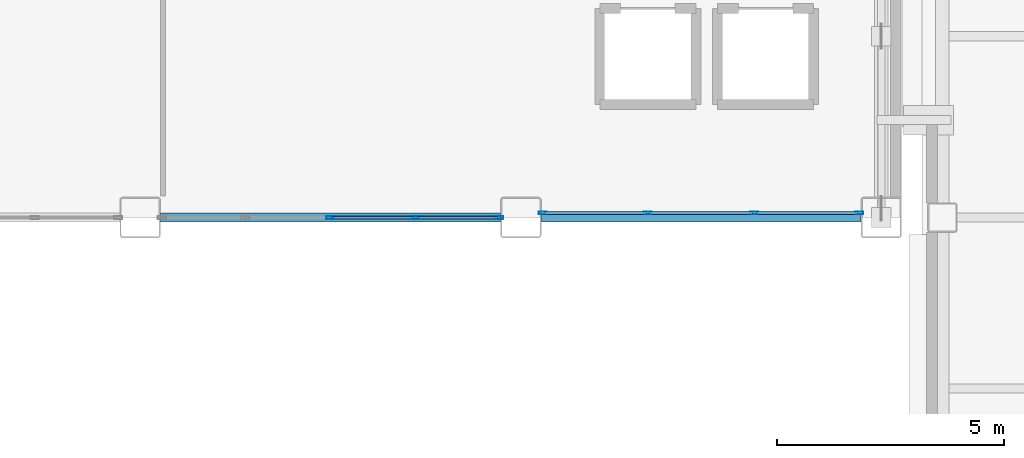
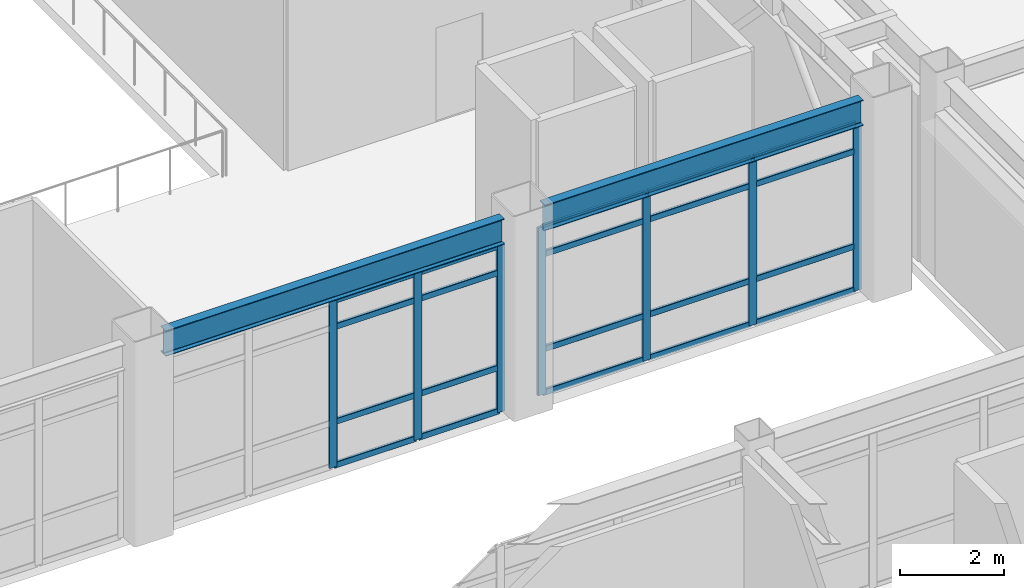
# One storey, part 37 of 172: 27 members, 2 beams, 2 elements without a shape of their own.
"""IFC4 building model written with IfcOpenShell, lengths in metres."""

from ifc_helpers import new_model, si_unit, direction, frame, origin, origin_2d, place, context, subcontext, project, spatial, hollow_rectangle, i_section, extrude, material, layer, layer_set, material_profile, profile_set, type_object, element, aggregate, save


model = new_model("IFC4")

# Units and contexts
model_context = context("Model", 3, precision=1e-05, world=origin(), true_north=direction((0.0, 1.0)))
body_context = subcontext(model_context, "Body", "Model", "MODEL_VIEW")
ifc_project = project(units=[si_unit("LENGTHUNIT", "METRE"), si_unit("AREAUNIT", "SQUARE_METRE"), si_unit("VOLUMEUNIT", "CUBIC_METRE"), si_unit("PLANEANGLEUNIT", "RADIAN"), si_unit("MASSUNIT", "GRAM", prefix="KILO")], contexts=[model_context])

# Site, building, storey
site_placement = place(None, origin())
site = spatial("IfcSite", under=ifc_project, at=site_placement, CompositionType="ELEMENT")
building_placement = place(site_placement, origin())
building = spatial("IfcBuilding", under=site, at=building_placement, Name="Kazehara Bluff Congress Hotel", CompositionType="ELEMENT")
storey_placement = place(building_placement, frame((0.0, 0.0, 5.39990234375)))
storey = spatial("IfcBuildingStorey", under=building, at=storey_placement, Name="L01", CompositionType="ELEMENT", Elevation=5.39990234375)

# Curtain wall, members
ifc_material_1 = material(Name="Anodised aluminium", Category="aluminium")
ifc_layer_1 = layer(ifc_material_1, 0.159912109375)
ifc_layer_set_1 = layer_set([ifc_layer_1], Name="Anodised aluminium")
curtain_wall_type_1 = type_object("IfcCurtainWallType", Name="TP-CW-13", PredefinedType="NOTDEFINED", material=ifc_layer_set_1)
curtain_wall_1_placement = place(storey_placement, origin())
curtain_wall_1 = element("IfcCurtainWall", 1, at=curtain_wall_1_placement, inside=storey, type_object=curtain_wall_type_1, Name="L01 curtain wall CW-13 CW-V1-L01-Y4845-4245", PredefinedType="NOTDEFINED")
ifc_material_2 = material(Name="Anodised aluminium", Category="aluminium")
ifc_material_profile_1 = material_profile(ifc_material_2, hollow_rectangle(XDim=0.06494140625, YDim=0.179931640625, WallThickness=0.00390625, InnerFilletRadius=0.00390625, OuterFilletRadius=0.008056640625, at=origin_2d()))
ifc_profile_set_1 = profile_set([ifc_material_profile_1], Name="Anodised aluminium")
member_type_1 = type_object("IfcMemberType", Name="TP-CWM-02", PredefinedType="MULLION", material=ifc_profile_set_1)
member_1_placement = place(storey_placement, frame((46.199951171875, 48.449951171875, 0.0), z_axis=(0.0, 0.0, 1.0), x_axis=(0.0, 1.0, 0.0)))
member_1 = element("IfcMember", 2, at=member_1_placement, type_object=member_type_1, Name="CW-13 mullion 3", PredefinedType="MULLION", context=body_context, shape_type="SweptSolid", body=[
    extrude(hollow_rectangle(XDim=0.06494140625, YDim=0.179931640625, WallThickness=0.00390625, InnerFilletRadius=0.00390625, OuterFilletRadius=0.008056640625, at=origin_2d()), origin(), (0.0, 0.0, 1.0), 3.925048828125),
])
member_2_placement = place(storey_placement, frame((48.074951171875, 48.449951171875, 0.0), z_axis=(0.0, 0.0, 1.0), x_axis=(0.0, 1.0, 0.0)))
member_2 = element("IfcMember", 3, at=member_2_placement, type_object=member_type_1, Name="CW-13 mullion 4", PredefinedType="MULLION", context=body_context, shape_type="SweptSolid", body=[
    extrude(hollow_rectangle(XDim=0.06494140625, YDim=0.179931640625, WallThickness=0.00390625, InnerFilletRadius=0.00390625, OuterFilletRadius=0.008056640625, at=origin_2d()), origin(), (0.0, 0.0, 1.0), 3.925048828125),
])
member_3_placement = place(storey_placement, frame((49.91748046875, 48.449951171875, 0.0), z_axis=(0.0, 0.0, 1.0), x_axis=(0.0, 1.0, 0.0)))
member_3 = element("IfcMember", 4, at=member_3_placement, type_object=member_type_1, Name="CW-13 mullion 5", PredefinedType="MULLION", context=body_context, shape_type="SweptSolid", body=[
    extrude(hollow_rectangle(XDim=0.06494140625, YDim=0.179931640625, WallThickness=0.00390625, InnerFilletRadius=0.00390625, OuterFilletRadius=0.008056640625, at=origin_2d()), origin(), (0.0, 0.0, 1.0), 3.925048828125),
])

ifc_material_3 = material(Name="Anodised aluminium", Category="aluminium")
ifc_layer_2 = layer(ifc_material_3, 0.159912109375)
ifc_layer_set_2 = layer_set([ifc_layer_2], Name="Anodised aluminium")
curtain_wall_type_2 = type_object("IfcCurtainWallType", Name="TP-CW-109", PredefinedType="NOTDEFINED", material=ifc_layer_set_2)
curtain_wall_2_placement = place(storey_placement, origin())
curtain_wall_2 = element("IfcCurtainWall", 5, at=curtain_wall_2_placement, inside=storey, type_object=curtain_wall_type_2, Name="L01 curtain wall CW-109 CW-ENC-V1-L01-5438-4855", PredefinedType="NOTDEFINED")
member_4_placement = place(storey_placement, frame((57.867431640625, 48.550048828125, 0.0), z_axis=(0.0, 0.0, 1.0), x_axis=(0.0, -1.0, 0.0)))
member_4 = element("IfcMember", 6, at=member_4_placement, type_object=member_type_1, Name="CW-109 mullion 1", PredefinedType="MULLION", context=body_context, shape_type="SweptSolid", body=[
    extrude(hollow_rectangle(XDim=0.06494140625, YDim=0.179931640625, WallThickness=0.00390625, InnerFilletRadius=0.00390625, OuterFilletRadius=0.008056640625, at=origin_2d()), origin(), (0.0, 0.0, 1.0), 3.925048828125),
])
member_5_placement = place(storey_placement, frame((55.550048828125, 48.550048828125, 0.0), z_axis=(0.0, 0.0, 1.0), x_axis=(0.0, -1.0, 0.0)))
member_5 = element("IfcMember", 7, at=member_5_placement, type_object=member_type_1, Name="CW-109 mullion 2", PredefinedType="MULLION", context=body_context, shape_type="SweptSolid", body=[
    extrude(hollow_rectangle(XDim=0.06494140625, YDim=0.179931640625, WallThickness=0.00390625, InnerFilletRadius=0.00390625, OuterFilletRadius=0.008056640625, at=origin_2d()), origin(), (0.0, 0.0, 1.0), 3.925048828125),
])
member_6_placement = place(storey_placement, frame((53.199951171875, 48.550048828125, 0.0), z_axis=(0.0, 0.0, 1.0), x_axis=(0.0, -1.0, 0.0)))
member_6 = element("IfcMember", 8, at=member_6_placement, type_object=member_type_1, Name="CW-109 mullion 3", PredefinedType="MULLION", context=body_context, shape_type="SweptSolid", body=[
    extrude(hollow_rectangle(XDim=0.06494140625, YDim=0.179931640625, WallThickness=0.00390625, InnerFilletRadius=0.00390625, OuterFilletRadius=0.008056640625, at=origin_2d()), origin(), (0.0, 0.0, 1.0), 3.925048828125),
])
member_7_placement = place(storey_placement, frame((50.882568359375, 48.550048828125, 0.0), z_axis=(0.0, 0.0, 1.0), x_axis=(0.0, -1.0, 0.0)))
member_7 = element("IfcMember", 9, at=member_7_placement, type_object=member_type_1, Name="CW-109 mullion 4", PredefinedType="MULLION", context=body_context, shape_type="SweptSolid", body=[
    extrude(hollow_rectangle(XDim=0.06494140625, YDim=0.179931640625, WallThickness=0.00390625, InnerFilletRadius=0.00390625, OuterFilletRadius=0.008056640625, at=origin_2d()), origin(), (0.0, 0.0, 1.0), 3.925048828125),
])

# Member
ifc_material_4 = material(Name="Anodised aluminium", Category="aluminium")
ifc_material_profile_2 = material_profile(ifc_material_4, hollow_rectangle(XDim=0.06494140625, YDim=0.139892578125, WallThickness=0.00390625, InnerFilletRadius=0.00390625, OuterFilletRadius=0.008056640625, at=origin_2d()))
ifc_profile_set_2 = profile_set([ifc_material_profile_2], Name="Anodised aluminium")
member_type_2 = type_object("IfcMemberType", Name="TP-CWT-02", PredefinedType="USERDEFINED", material=ifc_profile_set_2)
member_8_placement = place(storey_placement, frame((46.232421875, 48.449951171875, 0.03271484375), z_axis=(1.0, 0.0, 0.0), x_axis=(0.0, 1.0, 0.0)))
member_8 = element("IfcMember", 10, at=member_8_placement, type_object=member_type_2, Name="CW-13 transom 3.1", ObjectType="TRANSOM", PredefinedType="USERDEFINED", context=body_context, shape_type="SweptSolid", body=[
    extrude(hollow_rectangle(XDim=0.06494140625, YDim=0.139892578125, WallThickness=0.00390625, InnerFilletRadius=0.00390625, OuterFilletRadius=0.008056640625, at=origin_2d()), origin(), (0.0, 0.0, 1.0), 1.81005859375),
])

member_9_placement = place(storey_placement, frame((46.232421875, 48.449951171875, 1.050048828125), z_axis=(1.0, 0.0, 0.0), x_axis=(0.0, 1.0, 0.0)))
member_9 = element("IfcMember", 11, at=member_9_placement, type_object=member_type_2, Name="CW-13 transom 3.2", ObjectType="TRANSOM", PredefinedType="USERDEFINED", context=body_context, shape_type="SweptSolid", body=[
    extrude(hollow_rectangle(XDim=0.06494140625, YDim=0.139892578125, WallThickness=0.00390625, InnerFilletRadius=0.00390625, OuterFilletRadius=0.008056640625, at=origin_2d()), origin(), (0.0, 0.0, 1.0), 1.81005859375),
])

member_10_placement = place(storey_placement, frame((46.232421875, 48.449951171875, 3.275146484375), z_axis=(1.0, 0.0, 0.0), x_axis=(0.0, 1.0, 0.0)))
member_10 = element("IfcMember", 12, at=member_10_placement, type_object=member_type_2, Name="CW-13 transom 3.3", ObjectType="TRANSOM", PredefinedType="USERDEFINED", context=body_context, shape_type="SweptSolid", body=[
    extrude(hollow_rectangle(XDim=0.06494140625, YDim=0.139892578125, WallThickness=0.00390625, InnerFilletRadius=0.00390625, OuterFilletRadius=0.008056640625, at=origin_2d()), origin(), (0.0, 0.0, 1.0), 1.81005859375),
])

member_11_placement = place(storey_placement, frame((46.232421875, 48.449951171875, 3.892578125), z_axis=(1.0, 0.0, 0.0), x_axis=(0.0, 1.0, 0.0)))
member_11 = element("IfcMember", 13, at=member_11_placement, type_object=member_type_2, Name="CW-13 transom 3.4", ObjectType="TRANSOM", PredefinedType="USERDEFINED", context=body_context, shape_type="SweptSolid", body=[
    extrude(hollow_rectangle(XDim=0.06494140625, YDim=0.139892578125, WallThickness=0.00390625, InnerFilletRadius=0.00390625, OuterFilletRadius=0.008056640625, at=origin_2d()), origin(), (0.0, 0.0, 1.0), 1.81005859375),
])

member_12_placement = place(storey_placement, frame((48.107421875, 48.449951171875, 0.03271484375), z_axis=(1.0, 0.0, 0.0), x_axis=(0.0, 1.0, 0.0)))
member_12 = element("IfcMember", 14, at=member_12_placement, type_object=member_type_2, Name="CW-13 transom 4.1", ObjectType="TRANSOM", PredefinedType="USERDEFINED", context=body_context, shape_type="SweptSolid", body=[
    extrude(hollow_rectangle(XDim=0.06494140625, YDim=0.139892578125, WallThickness=0.00390625, InnerFilletRadius=0.00390625, OuterFilletRadius=0.008056640625, at=origin_2d()), origin(), (0.0, 0.0, 1.0), 1.777587890625),
])

member_13_placement = place(storey_placement, frame((48.107421875, 48.449951171875, 1.050048828125), z_axis=(1.0, 0.0, 0.0), x_axis=(0.0, 1.0, 0.0)))
member_13 = element("IfcMember", 15, at=member_13_placement, type_object=member_type_2, Name="CW-13 transom 4.2", ObjectType="TRANSOM", PredefinedType="USERDEFINED", context=body_context, shape_type="SweptSolid", body=[
    extrude(hollow_rectangle(XDim=0.06494140625, YDim=0.139892578125, WallThickness=0.00390625, InnerFilletRadius=0.00390625, OuterFilletRadius=0.008056640625, at=origin_2d()), origin(), (0.0, 0.0, 1.0), 1.777587890625),
])

member_14_placement = place(storey_placement, frame((48.107421875, 48.449951171875, 3.275146484375), z_axis=(1.0, 0.0, 0.0), x_axis=(0.0, 1.0, 0.0)))
member_14 = element("IfcMember", 16, at=member_14_placement, type_object=member_type_2, Name="CW-13 transom 4.3", ObjectType="TRANSOM", PredefinedType="USERDEFINED", context=body_context, shape_type="SweptSolid", body=[
    extrude(hollow_rectangle(XDim=0.06494140625, YDim=0.139892578125, WallThickness=0.00390625, InnerFilletRadius=0.00390625, OuterFilletRadius=0.008056640625, at=origin_2d()), origin(), (0.0, 0.0, 1.0), 1.777587890625),
])

member_15_placement = place(storey_placement, frame((48.107421875, 48.449951171875, 3.892578125), z_axis=(1.0, 0.0, 0.0), x_axis=(0.0, 1.0, 0.0)))
member_15 = element("IfcMember", 17, at=member_15_placement, type_object=member_type_2, Name="CW-13 transom 4.4", ObjectType="TRANSOM", PredefinedType="USERDEFINED", context=body_context, shape_type="SweptSolid", body=[
    extrude(hollow_rectangle(XDim=0.06494140625, YDim=0.139892578125, WallThickness=0.00390625, InnerFilletRadius=0.00390625, OuterFilletRadius=0.008056640625, at=origin_2d()), origin(), (0.0, 0.0, 1.0), 1.777587890625),
])

aggregate(curtain_wall_1, [member_1, member_2, member_3, member_8, member_9, member_10, member_11, member_12, member_13, member_14, member_15])

member_16_placement = place(storey_placement, frame((57.8349609375, 48.550048828125, 0.03271484375), z_axis=(-1.0, 0.0, 0.0), x_axis=(0.0, -1.0, 0.0)))
member_16 = element("IfcMember", 18, at=member_16_placement, type_object=member_type_2, Name="CW-109 transom 1.1", ObjectType="TRANSOM", PredefinedType="USERDEFINED", context=body_context, shape_type="SweptSolid", body=[
    extrude(hollow_rectangle(XDim=0.06494140625, YDim=0.139892578125, WallThickness=0.00390625, InnerFilletRadius=0.00390625, OuterFilletRadius=0.008056640625, at=origin_2d()), origin(), (0.0, 0.0, 1.0), 2.25244140625),
])

member_17_placement = place(storey_placement, frame((57.8349609375, 48.550048828125, 1.050048828125), z_axis=(-1.0, 0.0, 0.0), x_axis=(0.0, -1.0, 0.0)))
member_17 = element("IfcMember", 19, at=member_17_placement, type_object=member_type_2, Name="CW-109 transom 1.2", ObjectType="TRANSOM", PredefinedType="USERDEFINED", context=body_context, shape_type="SweptSolid", body=[
    extrude(hollow_rectangle(XDim=0.06494140625, YDim=0.139892578125, WallThickness=0.00390625, InnerFilletRadius=0.00390625, OuterFilletRadius=0.008056640625, at=origin_2d()), origin(), (0.0, 0.0, 1.0), 2.25244140625),
])

member_18_placement = place(storey_placement, frame((57.8349609375, 48.550048828125, 3.275146484375), z_axis=(-1.0, 0.0, 0.0), x_axis=(0.0, -1.0, 0.0)))
member_18 = element("IfcMember", 20, at=member_18_placement, type_object=member_type_2, Name="CW-109 transom 1.3", ObjectType="TRANSOM", PredefinedType="USERDEFINED", context=body_context, shape_type="SweptSolid", body=[
    extrude(hollow_rectangle(XDim=0.06494140625, YDim=0.139892578125, WallThickness=0.00390625, InnerFilletRadius=0.00390625, OuterFilletRadius=0.008056640625, at=origin_2d()), origin(), (0.0, 0.0, 1.0), 2.25244140625),
])

member_19_placement = place(storey_placement, frame((57.8349609375, 48.550048828125, 3.892578125), z_axis=(-1.0, 0.0, 0.0), x_axis=(0.0, -1.0, 0.0)))
member_19 = element("IfcMember", 21, at=member_19_placement, type_object=member_type_2, Name="CW-109 transom 1.4", ObjectType="TRANSOM", PredefinedType="USERDEFINED", context=body_context, shape_type="SweptSolid", body=[
    extrude(hollow_rectangle(XDim=0.06494140625, YDim=0.139892578125, WallThickness=0.00390625, InnerFilletRadius=0.00390625, OuterFilletRadius=0.008056640625, at=origin_2d()), origin(), (0.0, 0.0, 1.0), 2.25244140625),
])

member_20_placement = place(storey_placement, frame((55.517578125, 48.550048828125, 0.03271484375), z_axis=(-1.0, 0.0, 0.0), x_axis=(0.0, -1.0, 0.0)))
member_20 = element("IfcMember", 22, at=member_20_placement, type_object=member_type_2, Name="CW-109 transom 2.1", ObjectType="TRANSOM", PredefinedType="USERDEFINED", context=body_context, shape_type="SweptSolid", body=[
    extrude(hollow_rectangle(XDim=0.06494140625, YDim=0.139892578125, WallThickness=0.00390625, InnerFilletRadius=0.00390625, OuterFilletRadius=0.008056640625, at=origin_2d()), origin(), (0.0, 0.0, 1.0), 2.28515625),
])

member_21_placement = place(storey_placement, frame((55.517578125, 48.550048828125, 1.050048828125), z_axis=(-1.0, 0.0, 0.0), x_axis=(0.0, -1.0, 0.0)))
member_21 = element("IfcMember", 23, at=member_21_placement, type_object=member_type_2, Name="CW-109 transom 2.2", ObjectType="TRANSOM", PredefinedType="USERDEFINED", context=body_context, shape_type="SweptSolid", body=[
    extrude(hollow_rectangle(XDim=0.06494140625, YDim=0.139892578125, WallThickness=0.00390625, InnerFilletRadius=0.00390625, OuterFilletRadius=0.008056640625, at=origin_2d()), origin(), (0.0, 0.0, 1.0), 2.28515625),
])

member_22_placement = place(storey_placement, frame((55.517578125, 48.550048828125, 3.275146484375), z_axis=(-1.0, 0.0, 0.0), x_axis=(0.0, -1.0, 0.0)))
member_22 = element("IfcMember", 24, at=member_22_placement, type_object=member_type_2, Name="CW-109 transom 2.3", ObjectType="TRANSOM", PredefinedType="USERDEFINED", context=body_context, shape_type="SweptSolid", body=[
    extrude(hollow_rectangle(XDim=0.06494140625, YDim=0.139892578125, WallThickness=0.00390625, InnerFilletRadius=0.00390625, OuterFilletRadius=0.008056640625, at=origin_2d()), origin(), (0.0, 0.0, 1.0), 2.28515625),
])

member_23_placement = place(storey_placement, frame((55.517578125, 48.550048828125, 3.892578125), z_axis=(-1.0, 0.0, 0.0), x_axis=(0.0, -1.0, 0.0)))
member_23 = element("IfcMember", 25, at=member_23_placement, type_object=member_type_2, Name="CW-109 transom 2.4", ObjectType="TRANSOM", PredefinedType="USERDEFINED", context=body_context, shape_type="SweptSolid", body=[
    extrude(hollow_rectangle(XDim=0.06494140625, YDim=0.139892578125, WallThickness=0.00390625, InnerFilletRadius=0.00390625, OuterFilletRadius=0.008056640625, at=origin_2d()), origin(), (0.0, 0.0, 1.0), 2.28515625),
])

member_24_placement = place(storey_placement, frame((53.16748046875, 48.550048828125, 0.03271484375), z_axis=(-1.0, 0.0, 0.0), x_axis=(0.0, -1.0, 0.0)))
member_24 = element("IfcMember", 26, at=member_24_placement, type_object=member_type_2, Name="CW-109 transom 3.1", ObjectType="TRANSOM", PredefinedType="USERDEFINED", context=body_context, shape_type="SweptSolid", body=[
    extrude(hollow_rectangle(XDim=0.06494140625, YDim=0.139892578125, WallThickness=0.00390625, InnerFilletRadius=0.00390625, OuterFilletRadius=0.008056640625, at=origin_2d()), origin(), (0.0, 0.0, 1.0), 2.25244140625),
])

member_25_placement = place(storey_placement, frame((53.16748046875, 48.550048828125, 1.050048828125), z_axis=(-1.0, 0.0, 0.0), x_axis=(0.0, -1.0, 0.0)))
member_25 = element("IfcMember", 27, at=member_25_placement, type_object=member_type_2, Name="CW-109 transom 3.2", ObjectType="TRANSOM", PredefinedType="USERDEFINED", context=body_context, shape_type="SweptSolid", body=[
    extrude(hollow_rectangle(XDim=0.06494140625, YDim=0.139892578125, WallThickness=0.00390625, InnerFilletRadius=0.00390625, OuterFilletRadius=0.008056640625, at=origin_2d()), origin(), (0.0, 0.0, 1.0), 2.25244140625),
])

member_26_placement = place(storey_placement, frame((53.16748046875, 48.550048828125, 3.275146484375), z_axis=(-1.0, 0.0, 0.0), x_axis=(0.0, -1.0, 0.0)))
member_26 = element("IfcMember", 28, at=member_26_placement, type_object=member_type_2, Name="CW-109 transom 3.3", ObjectType="TRANSOM", PredefinedType="USERDEFINED", context=body_context, shape_type="SweptSolid", body=[
    extrude(hollow_rectangle(XDim=0.06494140625, YDim=0.139892578125, WallThickness=0.00390625, InnerFilletRadius=0.00390625, OuterFilletRadius=0.008056640625, at=origin_2d()), origin(), (0.0, 0.0, 1.0), 2.25244140625),
])

member_27_placement = place(storey_placement, frame((53.16748046875, 48.550048828125, 3.892578125), z_axis=(-1.0, 0.0, 0.0), x_axis=(0.0, -1.0, 0.0)))
member_27 = element("IfcMember", 29, at=member_27_placement, type_object=member_type_2, Name="CW-109 transom 3.4", ObjectType="TRANSOM", PredefinedType="USERDEFINED", context=body_context, shape_type="SweptSolid", body=[
    extrude(hollow_rectangle(XDim=0.06494140625, YDim=0.139892578125, WallThickness=0.00390625, InnerFilletRadius=0.00390625, OuterFilletRadius=0.008056640625, at=origin_2d()), origin(), (0.0, 0.0, 1.0), 2.25244140625),
])

aggregate(curtain_wall_2, [member_4, member_5, member_6, member_7, member_16, member_17, member_18, member_19, member_20, member_21, member_22, member_23, member_24, member_25, member_26, member_27])

# Beams
ifc_material_5 = material(Name="Steel SN490B", Category="steel")
ifc_material_profile_3 = material_profile(ifc_material_5, i_section(OverallWidth=0.199951171875, OverallDepth=0.60009765625, WebThickness=0.010986328125, FlangeThickness=0.01708984375, FilletRadius=0.012939453125, at=origin_2d()))
ifc_profile_set_3 = profile_set([ifc_material_profile_3], Name="Steel SN490B")
beam_type = type_object("IfcBeamType", Name="TP-SP-02", PredefinedType="SPANDREL", material=ifc_profile_set_3)
beam_1_placement = place(storey_placement, frame((42.449951171875, 48.449951171875, 4.25), z_axis=(1.0, 0.0, 0.0), x_axis=(0.0, 1.0, 0.0)))
element("IfcBeam", 30, at=beam_1_placement, inside=storey, type_object=beam_type, Name="L01 girder SP-02 29", PredefinedType="SPANDREL", context=body_context, shape_type="SweptSolid", body=[
    extrude(i_section(OverallWidth=0.199951171875, OverallDepth=0.60009765625, WebThickness=0.010986328125, FlangeThickness=0.01708984375, FilletRadius=0.012939453125, at=origin_2d()), origin(), (0.0, 0.0, 1.0), 7.5),
])
beam_2_placement = place(storey_placement, frame((50.85009765625, 48.449951171875, 4.25), z_axis=(1.0, 0.0, 0.0), x_axis=(0.0, 1.0, 0.0)))
element("IfcBeam", 31, at=beam_2_placement, inside=storey, type_object=beam_type, Name="L01 girder SP-02 30", PredefinedType="SPANDREL", context=body_context, shape_type="SweptSolid", body=[
    extrude(i_section(OverallWidth=0.199951171875, OverallDepth=0.60009765625, WebThickness=0.010986328125, FlangeThickness=0.01708984375, FilletRadius=0.012939453125, at=origin_2d()), origin(), (0.0, 0.0, 1.0), 7.0498046875),
])

save(model, "model.ifc")
